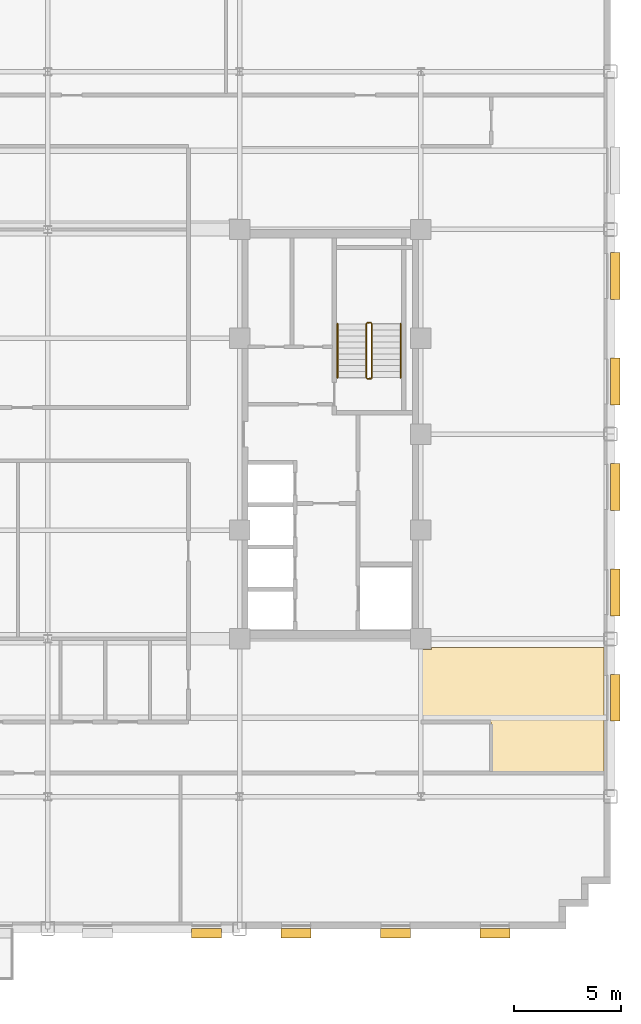
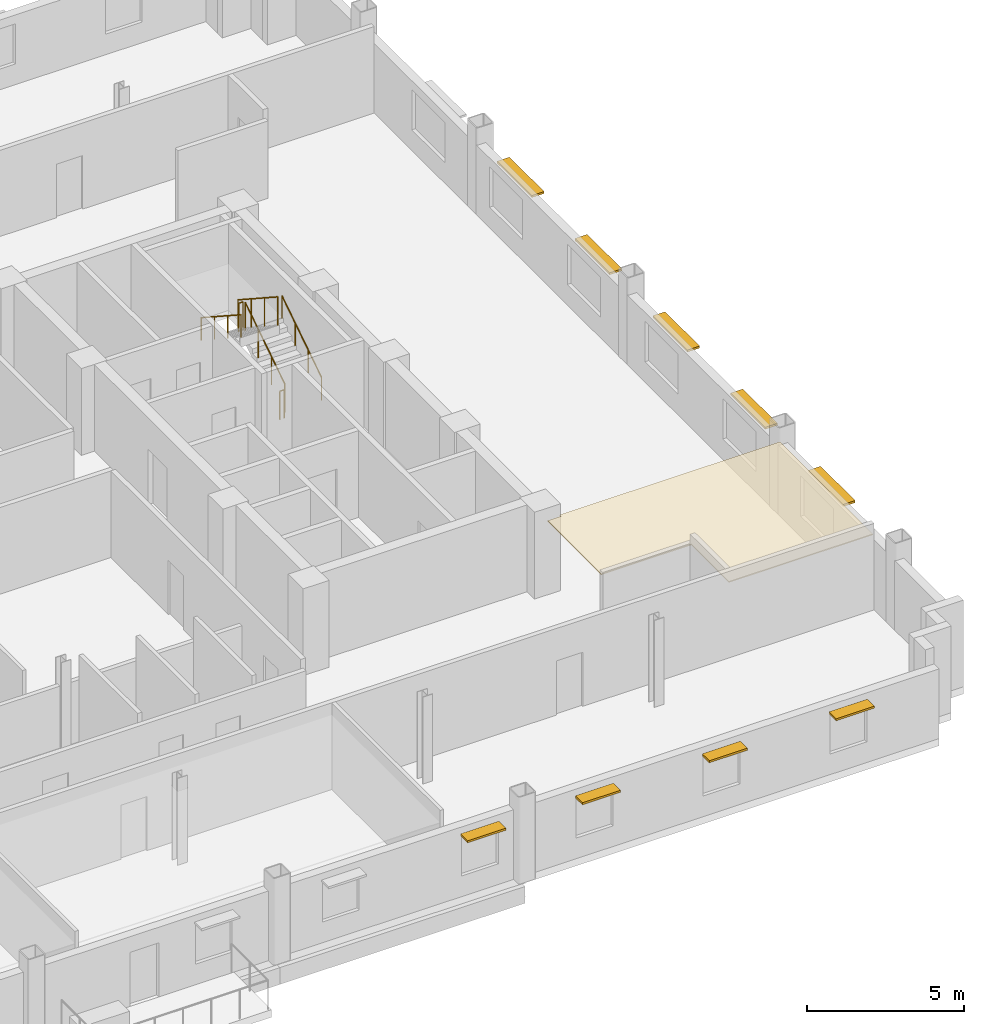
# One storey, part 12 of 13: 9 shading devices, 6 railings, 1 covering.
"""IFC4 building model written with IfcOpenShell, lengths in metres."""

from ifc_helpers import new_model, si_unit, direction, frame, origin, origin_2d, place, context, subcontext, project, spatial, polyline, rectangle, circle, outline, extrude, source, transform, mapped, material, layer, layer_set, type_object, type_shapes, element, save


model = new_model("IFC4")

# Units and contexts
model_context = context("Model", 3, precision=1e-05, world=origin(), true_north=direction((0.0, 1.0)))
body_context = subcontext(model_context, "Body", "Model", "MODEL_VIEW")
ifc_project = project(units=[si_unit("LENGTHUNIT", "METRE"), si_unit("AREAUNIT", "SQUARE_METRE"), si_unit("VOLUMEUNIT", "CUBIC_METRE"), si_unit("PLANEANGLEUNIT", "RADIAN"), si_unit("MASSUNIT", "GRAM", prefix="KILO")], contexts=[model_context])

# Site, building, storey
site_placement = place(None, origin())
site = spatial("IfcSite", under=ifc_project, at=site_placement, CompositionType="ELEMENT")
building_placement = place(site_placement, origin())
building = spatial("IfcBuilding", under=site, at=building_placement, Name="Nuvemarco Arch Tower", CompositionType="ELEMENT")
storey_placement = place(building_placement, frame((0.0, 0.0, 149.39990234375)))
storey = spatial("IfcBuildingStorey", under=building, at=storey_placement, Name="L39", CompositionType="ELEMENT", Elevation=149.39990234375)

# Covering
ifc_material_1 = material(Name="Mineral acoustic ceiling tile")
ifc_layer = layer(ifc_material_1, 0.0400390625, Name="COV-ACOUSTIC-CLG")
ifc_layer_set = layer_set([ifc_layer], Name="Mineral acoustic ceiling tile")
covering_type = type_object("IfcCoveringType", Name="COV-ACOUSTIC-CLG", PredefinedType="CEILING", material=ifc_layer_set)
covering_placement = place(storey_placement, frame((0.0, 0.0, 2.85009765625)))
element("IfcCovering", 1, at=covering_placement, inside=storey, type_object=covering_type, Name="L39 suspended acoustic ceiling 1", PredefinedType="CEILING", context=body_context, shape_type="SweptSolid", body=[
    extrude(outline(polyline([(17.5, -10.090087890625), (17.989990234375, -10.090087890625), (17.989990234375, -10.0), (26.080078125, -10.0), (26.080078125, -15.89990234375), (20.800048828125, -15.89990234375), (20.800048828125, -13.5), (17.5, -13.5), (17.5, -10.090087890625)])), origin(), (0.0, 0.0, 1.0), 0.0400390625),
])

# Railings
ifc_material_2 = material(Name="Brushed stainless steel handrail", Category="steel")
railing_type_1 = type_object("IfcRailingType", Name="RL-HANDRAIL-900", PredefinedType="HANDRAIL", material=ifc_material_2)
railing_1_placement = place(storey_placement, frame((16.550048828125, 2.64990234375, 0.1826171875)))
element("IfcRailing", 2, at=railing_1_placement, inside=storey, type_object=railing_type_1, Name="L39 ST-2 stair handrail 1", PredefinedType="HANDRAIL", context=body_context, shape_type="SweptSolid", body=[
    extrude(circle(Radius=0.02392578125, at=origin_2d()), frame((0.0, 0.0, 0.8759765625), z_axis=(0.0, 0.837749427056, 0.546054848405), x_axis=(-1.0, 0.0, 0.0)), (0.0, 0.0, 1.0), 3.008056640625),
    extrude(circle(Radius=0.02099609375, at=origin_2d()), origin(), (0.0, 0.0, 1.0), 0.851806640625),
    extrude(circle(Radius=0.02099609375, at=origin_2d()), frame((0.0, 0.840087890625, 0.547607421875)), (0.0, 0.0, 1.0), 0.851806640625),
    extrude(circle(Radius=0.02099609375, at=origin_2d()), frame((0.0, 1.679931640625, 1.094970703125)), (0.0, 0.0, 1.0), 0.851806640625),
    extrude(circle(Radius=0.02099609375, at=origin_2d()), frame((0.0, 2.52001953125, 1.642578125)), (0.0, 0.0, 1.0), 0.851806640625),
])
railing_2_placement = place(storey_placement, frame((13.590087890625, 5.169921875, 2.007568359375)))
element("IfcRailing", 3, at=railing_2_placement, inside=storey, type_object=railing_type_1, Name="L39 ST-2 stair handrail 2", PredefinedType="HANDRAIL", context=body_context, shape_type="SweptSolid", body=[
    extrude(circle(Radius=0.02392578125, at=origin_2d()), frame((0.0, 0.0, 0.8759765625), z_axis=(0.0, -0.837749427056, 0.546054848405), x_axis=(1.0, 0.0, 0.0)), (0.0, 0.0, 1.0), 3.008056640625),
    extrude(circle(Radius=0.02099609375, at=origin_2d()), origin(), (0.0, 0.0, 1.0), 0.851806640625),
    extrude(circle(Radius=0.02099609375, at=origin_2d()), frame((0.0, -0.840087890625, 0.547607421875)), (0.0, 0.0, 1.0), 0.851806640625),
    extrude(circle(Radius=0.02099609375, at=origin_2d()), frame((0.0, -1.679931640625, 1.094970703125)), (0.0, 0.0, 1.0), 0.851806640625),
    extrude(circle(Radius=0.02099609375, at=origin_2d()), frame((0.0, -2.52001953125, 1.642578125)), (0.0, 0.0, 1.0), 0.851806640625),
])
ifc_material_3 = material(Name="Painted balustrade steel S355", Category="steel")
railing_type_2 = type_object("IfcRailingType", Name="RL-STAIR-GUARD", PredefinedType="GUARDRAIL", material=ifc_material_3)
railing_3_placement = place(storey_placement, frame((15.199951171875, 2.64990234375, 0.1826171875)))
element("IfcRailing", 4, at=railing_3_placement, inside=storey, type_object=railing_type_2, Name="L39 ST-2 stair guard 1", PredefinedType="GUARDRAIL", context=body_context, shape_type="SweptSolid", body=[
    extrude(circle(Radius=0.02392578125, at=origin_2d()), frame((0.0, 0.0, 1.09619140625), z_axis=(0.0, 0.837749427056, 0.546054848405), x_axis=(-1.0, 0.0, 0.0)), (0.0, 0.0, 1.0), 3.008056640625),
    extrude(circle(Radius=0.02099609375, at=origin_2d()), origin(), (0.0, 0.0, 1.0), 1.072021484375),
    extrude(circle(Radius=0.02099609375, at=origin_2d()), frame((0.0, 0.840087890625, 0.547607421875)), (0.0, 0.0, 1.0), 1.072021484375),
    extrude(circle(Radius=0.02099609375, at=origin_2d()), frame((0.0, 1.679931640625, 1.094970703125)), (0.0, 0.0, 1.0), 1.072021484375),
    extrude(circle(Radius=0.02099609375, at=origin_2d()), frame((0.0, 2.52001953125, 1.642578125)), (0.0, 0.0, 1.0), 1.072021484375),
])
railing_4_placement = place(storey_placement, frame((15.14990234375, 5.219970703125, 1.8251953125)))
element("IfcRailing", 5, at=railing_4_placement, inside=storey, type_object=railing_type_2, Name="L39 ST-2 stair guard 2", PredefinedType="GUARDRAIL", context=body_context, shape_type="SweptSolid", body=[
    extrude(circle(Radius=0.02392578125, at=origin_2d()), frame((0.0, 0.0, 1.09619140625), z_axis=(-1.0, 0.0, 0.0), x_axis=(0.0, -1.0, 0.0)), (0.0, 0.0, 1.0), 0.159912109375),
    extrude(circle(Radius=0.02099609375, at=origin_2d()), origin(), (0.0, 0.0, 1.0), 1.072021484375),
    extrude(circle(Radius=0.02099609375, at=origin_2d()), frame((-0.159912109375, 0.0, 0.0)), (0.0, 0.0, 1.0), 1.072021484375),
])
railing_5_placement = place(storey_placement, frame((14.93994140625, 5.169921875, 2.007568359375)))
element("IfcRailing", 6, at=railing_5_placement, inside=storey, type_object=railing_type_2, Name="L39 ST-2 stair guard 3", PredefinedType="GUARDRAIL", context=body_context, shape_type="SweptSolid", body=[
    extrude(circle(Radius=0.02392578125, at=origin_2d()), frame((0.0, 0.0, 1.09619140625), z_axis=(0.0, -0.837749427056, 0.546054848405), x_axis=(1.0, 0.0, 0.0)), (0.0, 0.0, 1.0), 3.008056640625),
    extrude(circle(Radius=0.02099609375, at=origin_2d()), origin(), (0.0, 0.0, 1.0), 1.072021484375),
    extrude(circle(Radius=0.02099609375, at=origin_2d()), frame((0.0, -0.840087890625, 0.547607421875)), (0.0, 0.0, 1.0), 1.072021484375),
    extrude(circle(Radius=0.02099609375, at=origin_2d()), frame((0.0, -1.679931640625, 1.094970703125)), (0.0, 0.0, 1.0), 1.072021484375),
    extrude(circle(Radius=0.02099609375, at=origin_2d()), frame((0.0, -2.52001953125, 1.642578125)), (0.0, 0.0, 1.0), 1.072021484375),
])
railing_6_placement = place(storey_placement, frame((15.14990234375, 2.60009765625, 0.0)))
element("IfcRailing", 7, at=railing_6_placement, inside=storey, type_object=railing_type_2, Name="L39 ST-2 stair guard 4", PredefinedType="GUARDRAIL", context=body_context, shape_type="SweptSolid", body=[
    extrude(circle(Radius=0.02392578125, at=origin_2d()), frame((0.0, 0.0, 1.09619140625), z_axis=(-1.0, 0.0, 0.0), x_axis=(0.0, -1.0, 0.0)), (0.0, 0.0, 1.0), 0.159912109375),
    extrude(circle(Radius=0.02099609375, at=origin_2d()), origin(), (0.0, 0.0, 1.0), 1.072021484375),
    extrude(circle(Radius=0.02099609375, at=origin_2d()), frame((-0.159912109375, 0.0, 0.0)), (0.0, 0.0, 1.0), 1.072021484375),
])

# Shading devices
ifc_material_4 = material(Name="Anodised aluminium 6063-T6", Category="aluminium")
shading_device_type_1 = type_object("IfcShadingDeviceType", Name="SHD-BRISE-SOLEIL", PredefinedType="USERDEFINED", material=ifc_material_4)
shared_shape_1 = source(origin(), body_context, "Body", "SweptSolid", [
    extrude(rectangle(XDim=2.199951171875, YDim=0.449951171875, at=origin_2d()), origin(), (0.0, 0.0, 1.0), 0.080078125),
])
type_shapes(shading_device_type_1, [shared_shape_1])
for number, where, z_axis, x_axis, name in (
    (8, (26.614990234375, -12.364990234375, 2.364990234375), (0.0, 0.0, 1.0), (0.0, 1.0, 0.0), "L39 horizontal brise-soleil sunshade"),
    (9, (26.614990234375, -7.4189453125, 2.364990234375), (0.0, 0.0, 1.0), (0.0, 1.0, 0.0), "L39 horizontal brise-soleil sunshade"),
    (10, (26.614990234375, -2.472900390625, 2.364990234375), (0.0, 0.0, 1.0), (0.0, 1.0, 0.0), "L39 horizontal brise-soleil sunshade"),
    (11, (26.614990234375, 2.472900390625, 2.364990234375), (0.0, 0.0, 1.0), (0.0, 1.0, 0.0), "L39 horizontal brise-soleil sunshade"),
    (12, (26.614990234375, 7.4189453125, 2.364990234375), (0.0, 0.0, 1.0), (0.0, 1.0, 0.0), "L39 horizontal brise-soleil sunshade"),
):
    element("IfcShadingDevice", number, at=place(storey_placement, frame(where, z_axis=z_axis, x_axis=x_axis)), inside=storey, type_object=shading_device_type_1, Name=name, ObjectType="SUNSHADE", PredefinedType="USERDEFINED", context=body_context, shape_type="MappedRepresentation", body=[
        mapped(shared_shape_1, transform((0.0, 0.0, 0.0), scale=1.0)),
    ])
shading_device_type_2 = type_object("IfcShadingDeviceType", Name="SHD-BRISE-NARROW", PredefinedType="USERDEFINED", material=ifc_material_4)
shared_shape_2 = source(origin(), body_context, "Body", "SweptSolid", [
    extrude(rectangle(XDim=1.39990234375, YDim=0.449951171875, at=origin_2d()), origin(), (0.0, 0.0, 1.0), 0.080078125),
])
type_shapes(shading_device_type_2, [shared_shape_2])
for number, where, z_axis, x_axis, name in (
    (13, (7.43994140625, -23.4150390625, 2.364990234375), (0.0, 0.0, 1.0), (1.0, 0.0, 0.0), "L39 horizontal brise-soleil sunshade"),
    (14, (11.64990234375, -23.4150390625, 2.364990234375), (0.0, 0.0, 1.0), (1.0, 0.0, 0.0), "L39 horizontal brise-soleil sunshade"),
    (15, (16.31005859375, -23.4150390625, 2.364990234375), (0.0, 0.0, 1.0), (1.0, 0.0, 0.0), "L39 horizontal brise-soleil sunshade"),
    (16, (20.969970703125, -23.4150390625, 2.364990234375), (0.0, 0.0, 1.0), (1.0, 0.0, 0.0), "L39 horizontal brise-soleil sunshade"),
):
    element("IfcShadingDevice", number, at=place(storey_placement, frame(where, z_axis=z_axis, x_axis=x_axis)), inside=storey, type_object=shading_device_type_2, Name=name, ObjectType="SUNSHADE", PredefinedType="USERDEFINED", context=body_context, shape_type="MappedRepresentation", body=[
        mapped(shared_shape_2, transform((0.0, 0.0, 0.0), scale=1.0)),
    ])

save(model, "model.ifc")
